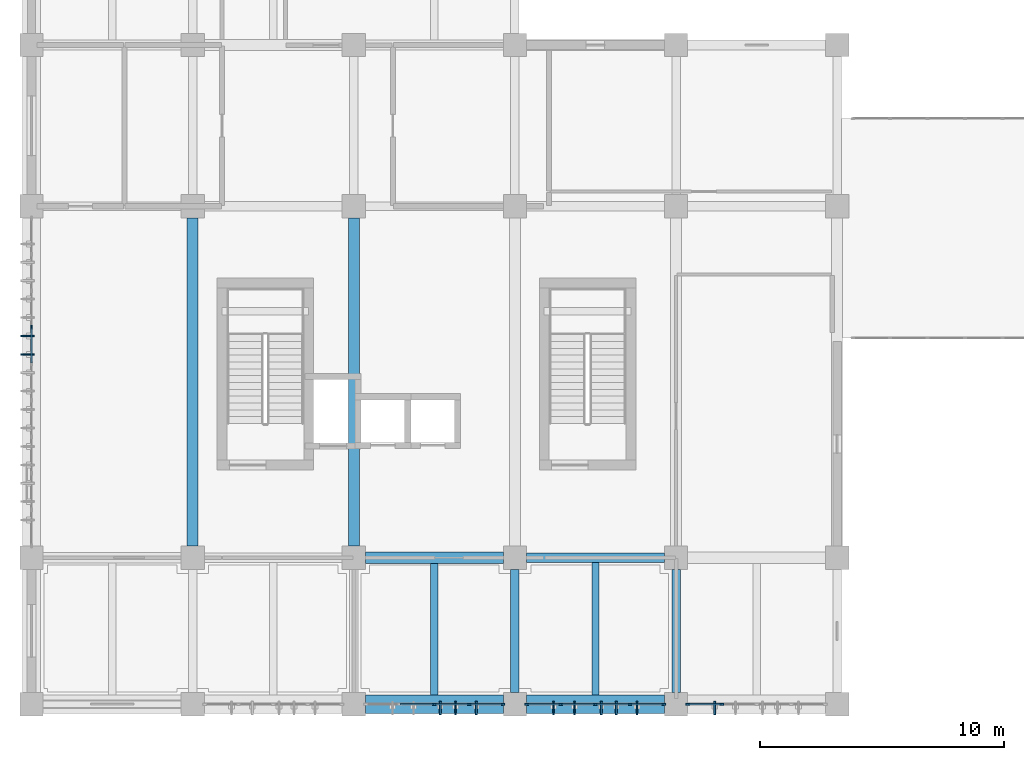
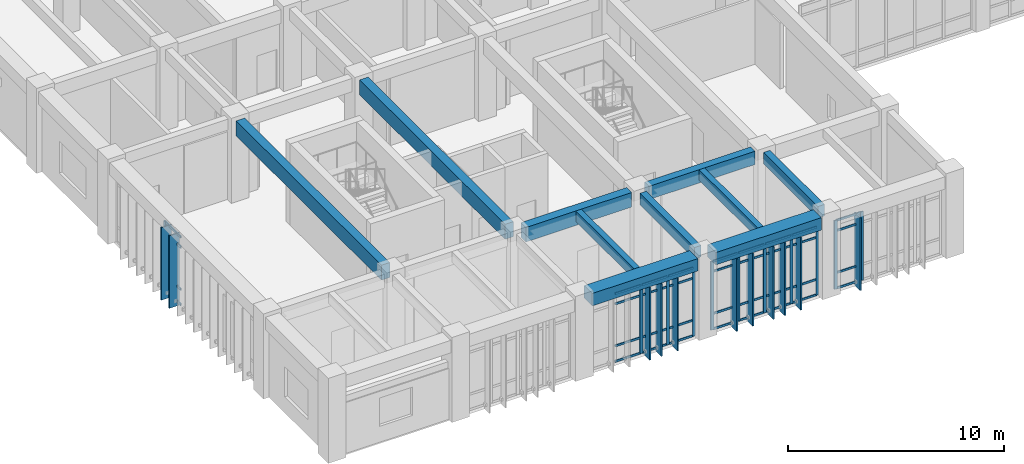
# One storey, part 3 of 68: 58 members, 10 beams, 4 elements without a shape of their own.
"""IFC4 building model written with IfcOpenShell, lengths in metres."""

from ifc_helpers import new_model, si_unit, direction, frame, origin, origin_2d, place, context, subcontext, project, spatial, rectangle, extrude, material, layer, layer_set, material_profile, profile_set, type_object, element, aggregate, save


model = new_model("IFC4")

# Units and contexts
model_context = context("Model", 3, precision=1e-05, world=origin(), true_north=direction((0.0, 1.0)))
body_context = subcontext(model_context, "Body", "Model", "MODEL_VIEW")
ifc_project = project(units=[si_unit("LENGTHUNIT", "METRE"), si_unit("AREAUNIT", "SQUARE_METRE"), si_unit("VOLUMEUNIT", "CUBIC_METRE"), si_unit("PLANEANGLEUNIT", "RADIAN"), si_unit("MASSUNIT", "GRAM", prefix="KILO")], contexts=[model_context])

# Site, building, storey
site_placement = place(None, origin())
site = spatial("IfcSite", under=ifc_project, at=site_placement, CompositionType="ELEMENT")
building_placement = place(site_placement, origin())
building = spatial("IfcBuilding", under=site, at=building_placement, Name="Miralva Faculty of Natural Sciences", CompositionType="ELEMENT")
storey_placement = place(building_placement, frame((0.0, 0.0, 5.39990234375)))
storey = spatial("IfcBuildingStorey", under=building, at=storey_placement, Name="L01", CompositionType="ELEMENT", Elevation=5.39990234375)

# Beams
ifc_material_1 = material(Name="Concrete C40/50", Category="concrete")
ifc_material_profile_1 = material_profile(ifc_material_1, rectangle(XDim=0.449951171875, YDim=0.85009765625, at=origin_2d()), Name="RC 450x850")
ifc_profile_set_1 = profile_set([ifc_material_profile_1], Name="Concrete C40/50")
beam_type_1 = type_object("IfcBeamType", Name="BM-B01", PredefinedType="BEAM", material=ifc_profile_set_1)
for number, where, z_axis, x_axis, name in (
    (1, (9.60009765625, 9.47509765625, 4.155029296875), (0.0, 1.0, 0.0), (-1.0, 0.0, 0.0), "Girder NS L01-110"),
    (2, (16.199951171875, 9.47509765625, 4.155029296875), (0.0, 1.0, 0.0), (-1.0, 0.0, 0.0), "Girder NS L01-123"),
):
    element("IfcBeam", number, at=place(storey_placement, frame(where, z_axis=z_axis, x_axis=x_axis)), inside=storey, type_object=beam_type_1, Name=name, PredefinedType="BEAM", context=body_context, shape_type="SweptSolid", body=[
        extrude(rectangle(XDim=0.449951171875, YDim=0.85009765625, at=origin_2d()), origin(), (0.0, 0.0, 1.0), 13.449951171875),
    ])
ifc_material_profile_2 = material_profile(ifc_material_1, rectangle(XDim=0.39990234375, YDim=0.75, at=origin_2d()), Name="RC 400x750")
ifc_profile_set_2 = profile_set([ifc_material_profile_2], Name="Concrete C40/50")
beam_type_2 = type_object("IfcBeamType", Name="BM-B03", PredefinedType="BEAM", material=ifc_profile_set_2)
beam_1_placement = place(storey_placement, frame((23.27490234375, 9.0, 4.205078125), z_axis=(1.0, 0.0, 0.0), x_axis=(0.0, 1.0, 0.0)))
element("IfcBeam", 3, at=beam_1_placement, inside=storey, type_object=beam_type_2, Name="Girder EW L01-14", PredefinedType="BEAM", context=body_context, shape_type="SweptSolid", body=[
    extrude(rectangle(XDim=0.39990234375, YDim=0.75, at=origin_2d()), origin(), (0.0, 0.0, 1.0), 5.650146484375),
])
ifc_material_profile_3 = material_profile(ifc_material_1, rectangle(XDim=0.35009765625, YDim=0.64990234375, at=origin_2d()), Name="RC 350x650")
ifc_profile_set_3 = profile_set([ifc_material_profile_3], Name="Concrete C40/50")
beam_type_3 = type_object("IfcBeamType", Name="BM-B05", PredefinedType="BEAM", material=ifc_profile_set_3)
for number, where, z_axis, x_axis, name in (
    (4, (22.800048828125, 3.47509765625, 4.255126953125), (0.0, 1.0, 0.0), (-1.0, 0.0, 0.0), "Girder NS L01-125"),
    (5, (29.39990234375, 3.47509765625, 4.255126953125), (0.0, 1.0, 0.0), (-1.0, 0.0, 0.0), "Girder NS L01-138"),
):
    element("IfcBeam", number, at=place(storey_placement, frame(where, z_axis=z_axis, x_axis=x_axis)), inside=storey, type_object=beam_type_3, Name=name, PredefinedType="BEAM", context=body_context, shape_type="SweptSolid", body=[
        extrude(rectangle(XDim=0.35009765625, YDim=0.64990234375, at=origin_2d()), origin(), (0.0, 0.0, 1.0), 5.0498046875),
    ])
ifc_material_profile_4 = material_profile(ifc_material_1, rectangle(XDim=0.4599609375, YDim=0.820068359375, at=origin_2d()), Name="RC 460x820")
ifc_profile_set_4 = profile_set([ifc_material_profile_4], Name="Concrete C40/50")
beam_type_4 = type_object("IfcBeamType", Name="BM-BG15", PredefinedType="BEAM", material=ifc_profile_set_4)
beam_2_placement = place(storey_placement, frame((16.675048828125, 9.0, 4.170166015625), z_axis=(1.0, 0.0, 0.0), x_axis=(0.0, 1.0, 0.0)))
element("IfcBeam", 6, at=beam_2_placement, inside=storey, type_object=beam_type_4, Name="Girder EW L01-13", PredefinedType="BEAM", context=body_context, shape_type="SweptSolid", body=[
    extrude(rectangle(XDim=0.4599609375, YDim=0.820068359375, at=origin_2d()), origin(), (0.0, 0.0, 1.0), 5.64990234375),
])
ifc_material_profile_5 = material_profile(ifc_material_1, rectangle(XDim=0.300048828125, YDim=0.60009765625, at=origin_2d()), Name="RC 300x600")
ifc_profile_set_5 = profile_set([ifc_material_profile_5], Name="Concrete C40/50")
beam_type_5 = type_object("IfcBeamType", Name="BM-J01", PredefinedType="JOIST", material=ifc_profile_set_5)
beam_3_placement = place(storey_placement, frame((19.5, 3.375, 4.280029296875), z_axis=(0.0, 1.0, 0.0), x_axis=(-1.0, 0.0, 0.0)))
element("IfcBeam", 7, at=beam_3_placement, inside=storey, type_object=beam_type_5, Name="Floor joist L01-3", PredefinedType="JOIST", context=body_context, shape_type="SweptSolid", body=[
    extrude(rectangle(XDim=0.300048828125, YDim=0.60009765625, at=origin_2d()), origin(), (0.0, 0.0, 1.0), 5.39501953125),
])
beam_4_placement = place(storey_placement, frame((26.10009765625, 3.375, 4.280029296875), z_axis=(0.0, 1.0, 0.0), x_axis=(-1.0, 0.0, 0.0)))
element("IfcBeam", 8, at=beam_4_placement, inside=storey, type_object=beam_type_5, Name="Floor joist L01-4", PredefinedType="JOIST", context=body_context, shape_type="SweptSolid", body=[
    extrude(rectangle(XDim=0.300048828125, YDim=0.60009765625, at=origin_2d()), origin(), (0.0, 0.0, 1.0), 5.425048828125),
])
ifc_material_profile_6 = material_profile(ifc_material_1, rectangle(XDim=0.75, YDim=0.699951171875, at=origin_2d()), Name="RC 750x700")
ifc_profile_set_6 = profile_set([ifc_material_profile_6], Name="Concrete C40/50")
beam_type_6 = type_object("IfcBeamType", Name="BM-SP01", PredefinedType="SPANDREL", material=ifc_profile_set_6)
beam_5_placement = place(storey_placement, frame((16.675048828125, 3.0, 4.22998046875), z_axis=(1.0, 0.0, 0.0), x_axis=(0.0, 1.0, 0.0)))
element("IfcBeam", 9, at=beam_5_placement, inside=storey, type_object=beam_type_6, Name="Girder EW L01-3", PredefinedType="SPANDREL", context=body_context, shape_type="SweptSolid", body=[
    extrude(rectangle(XDim=0.75, YDim=0.699951171875, at=origin_2d()), origin(), (0.0, 0.0, 1.0), 5.64990234375),
])
beam_6_placement = place(storey_placement, frame((23.27490234375, 3.0, 4.22998046875), z_axis=(1.0, 0.0, 0.0), x_axis=(0.0, 1.0, 0.0)))
element("IfcBeam", 10, at=beam_6_placement, inside=storey, type_object=beam_type_6, Name="Girder EW L01-4", PredefinedType="SPANDREL", context=body_context, shape_type="SweptSolid", body=[
    extrude(rectangle(XDim=0.75, YDim=0.699951171875, at=origin_2d()), origin(), (0.0, 0.0, 1.0), 5.650146484375),
])

# Curtain wall, members
ifc_material_2 = material(Name="Laminated solar-control glass", Category="glass")
ifc_layer = layer(ifc_material_2, 0.179931640625, Name="CW-TWR-L01")
ifc_layer_set = layer_set([ifc_layer], Name="Laminated solar-control glass")
curtain_wall_type = type_object("IfcCurtainWallType", Name="CW-TWR-L01", PredefinedType="USERDEFINED", material=ifc_layer_set)
curtain_wall_1_placement = place(storey_placement, origin())
curtain_wall_1 = element("IfcCurtainWall", 11, at=curtain_wall_1_placement, inside=storey, type_object=curtain_wall_type, Name="Curtain wall CW-13 L01-215", ObjectType="UNITISED CURTAIN WALL", PredefinedType="USERDEFINED")
ifc_material_3 = material(Name="Anodised aluminium", Category="aluminium")
ifc_material_profile_7 = material_profile(ifc_material_3, rectangle(XDim=0.06494140625, YDim=0.159912109375, at=origin_2d()), Name="MULLION 65x160")
ifc_profile_set_7 = profile_set([ifc_material_profile_7], Name="Anodised aluminium")
member_type_1 = type_object("IfcMemberType", Name="CW-M02", PredefinedType="MULLION", material=ifc_profile_set_7)
member_1_placement = place(storey_placement, frame((19.5, 3.0, 0.0), z_axis=(0.0, 0.0, 1.0), x_axis=(0.0, 1.0, 0.0)))
member_1 = element("IfcMember", 12, at=member_1_placement, type_object=member_type_1, Name="CW-13 mullion 3", PredefinedType="MULLION", context=body_context, shape_type="SweptSolid", body=[
    extrude(rectangle(XDim=0.06494140625, YDim=0.159912109375, at=origin_2d()), origin(), (0.0, 0.0, 1.0), 3.875),
])
member_2_placement = place(storey_placement, frame((20.922607421875, 3.0, 0.0), z_axis=(0.0, 0.0, 1.0), x_axis=(0.0, 1.0, 0.0)))
member_2 = element("IfcMember", 13, at=member_2_placement, type_object=member_type_1, Name="CW-13 mullion 4", PredefinedType="MULLION", context=body_context, shape_type="SweptSolid", body=[
    extrude(rectangle(XDim=0.06494140625, YDim=0.159912109375, at=origin_2d()), origin(), (0.0, 0.0, 1.0), 3.875),
])
member_3_placement = place(storey_placement, frame((22.3125, 3.0, 0.0), z_axis=(0.0, 0.0, 1.0), x_axis=(0.0, 1.0, 0.0)))
member_3 = element("IfcMember", 14, at=member_3_placement, type_object=member_type_1, Name="CW-13 mullion 5", PredefinedType="MULLION", context=body_context, shape_type="SweptSolid", body=[
    extrude(rectangle(XDim=0.06494140625, YDim=0.159912109375, at=origin_2d()), origin(), (0.0, 0.0, 1.0), 3.875),
])

curtain_wall_2_placement = place(storey_placement, origin())
curtain_wall_2 = element("IfcCurtainWall", 15, at=curtain_wall_2_placement, inside=storey, type_object=curtain_wall_type, Name="Curtain wall CW-13 L01-216", ObjectType="UNITISED CURTAIN WALL", PredefinedType="USERDEFINED")
member_4_placement = place(storey_placement, frame((23.28759765625, 3.0, 0.0), z_axis=(0.0, 0.0, 1.0), x_axis=(0.0, 1.0, 0.0)))
member_4 = element("IfcMember", 16, at=member_4_placement, type_object=member_type_1, Name="CW-13 mullion 1", PredefinedType="MULLION", context=body_context, shape_type="SweptSolid", body=[
    extrude(rectangle(XDim=0.06494140625, YDim=0.159912109375, at=origin_2d()), origin(), (0.0, 0.0, 1.0), 3.875),
])
member_5_placement = place(storey_placement, frame((24.675048828125, 3.0, 0.0), z_axis=(0.0, 0.0, 1.0), x_axis=(0.0, 1.0, 0.0)))
member_5 = element("IfcMember", 17, at=member_5_placement, type_object=member_type_1, Name="CW-13 mullion 2", PredefinedType="MULLION", context=body_context, shape_type="SweptSolid", body=[
    extrude(rectangle(XDim=0.06494140625, YDim=0.159912109375, at=origin_2d()), origin(), (0.0, 0.0, 1.0), 3.875),
])
member_6_placement = place(storey_placement, frame((26.094970703125, 3.0, 0.0), z_axis=(0.0, 0.0, 1.0), x_axis=(0.0, 1.0, 0.0)))
member_6 = element("IfcMember", 18, at=member_6_placement, type_object=member_type_1, Name="CW-13 mullion 3", PredefinedType="MULLION", context=body_context, shape_type="SweptSolid", body=[
    extrude(rectangle(XDim=0.06494140625, YDim=0.159912109375, at=origin_2d()), origin(), (0.0, 0.0, 1.0), 3.875),
])
member_7_placement = place(storey_placement, frame((27.514892578125, 3.0, 0.0), z_axis=(0.0, 0.0, 1.0), x_axis=(0.0, 1.0, 0.0)))
member_7 = element("IfcMember", 19, at=member_7_placement, type_object=member_type_1, Name="CW-13 mullion 4", PredefinedType="MULLION", context=body_context, shape_type="SweptSolid", body=[
    extrude(rectangle(XDim=0.06494140625, YDim=0.159912109375, at=origin_2d()), origin(), (0.0, 0.0, 1.0), 3.875),
])
member_8_placement = place(storey_placement, frame((28.902587890625, 3.0, 0.0), z_axis=(0.0, 0.0, 1.0), x_axis=(0.0, 1.0, 0.0)))
member_8 = element("IfcMember", 20, at=member_8_placement, type_object=member_type_1, Name="CW-13 mullion 5", PredefinedType="MULLION", context=body_context, shape_type="SweptSolid", body=[
    extrude(rectangle(XDim=0.06494140625, YDim=0.159912109375, at=origin_2d()), origin(), (0.0, 0.0, 1.0), 3.875),
])

curtain_wall_3_placement = place(storey_placement, origin())
curtain_wall_3 = element("IfcCurtainWall", 21, at=curtain_wall_3_placement, inside=storey, type_object=curtain_wall_type, Name="Curtain wall CW-13 L01-217", ObjectType="UNITISED CURTAIN WALL", PredefinedType="USERDEFINED")
member_9_placement = place(storey_placement, frame((29.887451171875, 3.0, 0.0), z_axis=(0.0, 0.0, 1.0), x_axis=(0.0, 1.0, 0.0)))
member_9 = element("IfcMember", 22, at=member_9_placement, type_object=member_type_1, Name="CW-13 mullion 1", PredefinedType="MULLION", context=body_context, shape_type="SweptSolid", body=[
    extrude(rectangle(XDim=0.06494140625, YDim=0.159912109375, at=origin_2d()), origin(), (0.0, 0.0, 1.0), 3.875),
])
member_10_placement = place(storey_placement, frame((31.277587890625, 3.0, 0.0), z_axis=(0.0, 0.0, 1.0), x_axis=(0.0, 1.0, 0.0)))
member_10 = element("IfcMember", 23, at=member_10_placement, type_object=member_type_1, Name="CW-13 mullion 2", PredefinedType="MULLION", context=body_context, shape_type="SweptSolid", body=[
    extrude(rectangle(XDim=0.06494140625, YDim=0.159912109375, at=origin_2d()), origin(), (0.0, 0.0, 1.0), 3.875),
])

# Curtain wall, member
curtain_wall_4_placement = place(storey_placement, origin())
curtain_wall_4 = element("IfcCurtainWall", 24, at=curtain_wall_4_placement, inside=storey, type_object=curtain_wall_type, Name="Curtain wall CW-13 L01-218", ObjectType="UNITISED CURTAIN WALL", PredefinedType="USERDEFINED")
member_11_placement = place(storey_placement, frame((3.0, 18.445068359375, 0.0), z_axis=(0.0, 0.0, 1.0), x_axis=(-1.0, 0.0, 0.0)))
member_11 = element("IfcMember", 25, at=member_11_placement, type_object=member_type_1, Name="CW-13 mullion 7", PredefinedType="MULLION", context=body_context, shape_type="SweptSolid", body=[
    extrude(rectangle(XDim=0.06494140625, YDim=0.159912109375, at=origin_2d()), origin(), (0.0, 0.0, 1.0), 3.875),
])

# Member
ifc_material_profile_8 = material_profile(ifc_material_3, rectangle(XDim=0.06005859375, YDim=0.1201171875, at=origin_2d()), Name="TRANSOM 60x120")
ifc_profile_set_8 = profile_set([ifc_material_profile_8], Name="Anodised aluminium")
member_type_2 = type_object("IfcMemberType", Name="CW-T02", PredefinedType="USERDEFINED", material=ifc_profile_set_8)
member_12_placement = place(storey_placement, frame((18.110107421875, 3.0, 0.030029296875), z_axis=(1.0, 0.0, 0.0), x_axis=(0.0, 1.0, 0.0)))
member_12 = element("IfcMember", 26, at=member_12_placement, type_object=member_type_2, Name="CW-13 transom 2.1", ObjectType="TRANSOM", PredefinedType="USERDEFINED", context=body_context, shape_type="SweptSolid", body=[
    extrude(rectangle(XDim=0.06005859375, YDim=0.1201171875, at=origin_2d()), origin(), (0.0, 0.0, 1.0), 1.357421875),
])

member_13_placement = place(storey_placement, frame((18.110107421875, 3.0, 0.900146484375), z_axis=(1.0, 0.0, 0.0), x_axis=(0.0, 1.0, 0.0)))
member_13 = element("IfcMember", 27, at=member_13_placement, type_object=member_type_2, Name="CW-13 transom 2.2", ObjectType="TRANSOM", PredefinedType="USERDEFINED", context=body_context, shape_type="SweptSolid", body=[
    extrude(rectangle(XDim=0.06005859375, YDim=0.1201171875, at=origin_2d()), origin(), (0.0, 0.0, 1.0), 1.357421875),
])

member_14_placement = place(storey_placement, frame((18.110107421875, 3.0, 3.275146484375), z_axis=(1.0, 0.0, 0.0), x_axis=(0.0, 1.0, 0.0)))
member_14 = element("IfcMember", 28, at=member_14_placement, type_object=member_type_2, Name="CW-13 transom 2.3", ObjectType="TRANSOM", PredefinedType="USERDEFINED", context=body_context, shape_type="SweptSolid", body=[
    extrude(rectangle(XDim=0.06005859375, YDim=0.1201171875, at=origin_2d()), origin(), (0.0, 0.0, 1.0), 1.357421875),
])

member_15_placement = place(storey_placement, frame((18.110107421875, 3.0, 3.84521484375), z_axis=(1.0, 0.0, 0.0), x_axis=(0.0, 1.0, 0.0)))
member_15 = element("IfcMember", 29, at=member_15_placement, type_object=member_type_2, Name="CW-13 transom 2.4", ObjectType="TRANSOM", PredefinedType="USERDEFINED", context=body_context, shape_type="SweptSolid", body=[
    extrude(rectangle(XDim=0.06005859375, YDim=0.1201171875, at=origin_2d()), origin(), (0.0, 0.0, 1.0), 1.357421875),
])

member_16_placement = place(storey_placement, frame((19.532470703125, 3.0, 0.030029296875), z_axis=(1.0, 0.0, 0.0), x_axis=(0.0, 1.0, 0.0)))
member_16 = element("IfcMember", 30, at=member_16_placement, type_object=member_type_2, Name="CW-13 transom 3.1", ObjectType="TRANSOM", PredefinedType="USERDEFINED", context=body_context, shape_type="SweptSolid", body=[
    extrude(rectangle(XDim=0.06005859375, YDim=0.1201171875, at=origin_2d()), origin(), (0.0, 0.0, 1.0), 1.357421875),
])

member_17_placement = place(storey_placement, frame((19.532470703125, 3.0, 0.900146484375), z_axis=(1.0, 0.0, 0.0), x_axis=(0.0, 1.0, 0.0)))
member_17 = element("IfcMember", 31, at=member_17_placement, type_object=member_type_2, Name="CW-13 transom 3.2", ObjectType="TRANSOM", PredefinedType="USERDEFINED", context=body_context, shape_type="SweptSolid", body=[
    extrude(rectangle(XDim=0.06005859375, YDim=0.1201171875, at=origin_2d()), origin(), (0.0, 0.0, 1.0), 1.357421875),
])

member_18_placement = place(storey_placement, frame((19.532470703125, 3.0, 3.275146484375), z_axis=(1.0, 0.0, 0.0), x_axis=(0.0, 1.0, 0.0)))
member_18 = element("IfcMember", 32, at=member_18_placement, type_object=member_type_2, Name="CW-13 transom 3.3", ObjectType="TRANSOM", PredefinedType="USERDEFINED", context=body_context, shape_type="SweptSolid", body=[
    extrude(rectangle(XDim=0.06005859375, YDim=0.1201171875, at=origin_2d()), origin(), (0.0, 0.0, 1.0), 1.357421875),
])

member_19_placement = place(storey_placement, frame((19.532470703125, 3.0, 3.84521484375), z_axis=(1.0, 0.0, 0.0), x_axis=(0.0, 1.0, 0.0)))
member_19 = element("IfcMember", 33, at=member_19_placement, type_object=member_type_2, Name="CW-13 transom 3.4", ObjectType="TRANSOM", PredefinedType="USERDEFINED", context=body_context, shape_type="SweptSolid", body=[
    extrude(rectangle(XDim=0.06005859375, YDim=0.1201171875, at=origin_2d()), origin(), (0.0, 0.0, 1.0), 1.357421875),
])

member_20_placement = place(storey_placement, frame((20.955078125, 3.0, 0.030029296875), z_axis=(1.0, 0.0, 0.0), x_axis=(0.0, 1.0, 0.0)))
member_20 = element("IfcMember", 34, at=member_20_placement, type_object=member_type_2, Name="CW-13 transom 4.1", ObjectType="TRANSOM", PredefinedType="USERDEFINED", context=body_context, shape_type="SweptSolid", body=[
    extrude(rectangle(XDim=0.06005859375, YDim=0.1201171875, at=origin_2d()), origin(), (0.0, 0.0, 1.0), 1.324951171875),
])

member_21_placement = place(storey_placement, frame((20.955078125, 3.0, 0.900146484375), z_axis=(1.0, 0.0, 0.0), x_axis=(0.0, 1.0, 0.0)))
member_21 = element("IfcMember", 35, at=member_21_placement, type_object=member_type_2, Name="CW-13 transom 4.2", ObjectType="TRANSOM", PredefinedType="USERDEFINED", context=body_context, shape_type="SweptSolid", body=[
    extrude(rectangle(XDim=0.06005859375, YDim=0.1201171875, at=origin_2d()), origin(), (0.0, 0.0, 1.0), 1.324951171875),
])

member_22_placement = place(storey_placement, frame((20.955078125, 3.0, 3.275146484375), z_axis=(1.0, 0.0, 0.0), x_axis=(0.0, 1.0, 0.0)))
member_22 = element("IfcMember", 36, at=member_22_placement, type_object=member_type_2, Name="CW-13 transom 4.3", ObjectType="TRANSOM", PredefinedType="USERDEFINED", context=body_context, shape_type="SweptSolid", body=[
    extrude(rectangle(XDim=0.06005859375, YDim=0.1201171875, at=origin_2d()), origin(), (0.0, 0.0, 1.0), 1.324951171875),
])

member_23_placement = place(storey_placement, frame((20.955078125, 3.0, 3.84521484375), z_axis=(1.0, 0.0, 0.0), x_axis=(0.0, 1.0, 0.0)))
member_23 = element("IfcMember", 37, at=member_23_placement, type_object=member_type_2, Name="CW-13 transom 4.4", ObjectType="TRANSOM", PredefinedType="USERDEFINED", context=body_context, shape_type="SweptSolid", body=[
    extrude(rectangle(XDim=0.06005859375, YDim=0.1201171875, at=origin_2d()), origin(), (0.0, 0.0, 1.0), 1.324951171875),
])

aggregate(curtain_wall_1, [member_1, member_2, member_3, member_12, member_13, member_14, member_15, member_16, member_17, member_18, member_19, member_20, member_21, member_22, member_23])

member_24_placement = place(storey_placement, frame((23.320068359375, 3.0, 0.030029296875), z_axis=(1.0, 0.0, 0.0), x_axis=(0.0, 1.0, 0.0)))
member_24 = element("IfcMember", 38, at=member_24_placement, type_object=member_type_2, Name="CW-13 transom 1.1", ObjectType="TRANSOM", PredefinedType="USERDEFINED", context=body_context, shape_type="SweptSolid", body=[
    extrude(rectangle(XDim=0.06005859375, YDim=0.1201171875, at=origin_2d()), origin(), (0.0, 0.0, 1.0), 1.322509765625),
])

member_25_placement = place(storey_placement, frame((23.320068359375, 3.0, 0.900146484375), z_axis=(1.0, 0.0, 0.0), x_axis=(0.0, 1.0, 0.0)))
member_25 = element("IfcMember", 39, at=member_25_placement, type_object=member_type_2, Name="CW-13 transom 1.2", ObjectType="TRANSOM", PredefinedType="USERDEFINED", context=body_context, shape_type="SweptSolid", body=[
    extrude(rectangle(XDim=0.06005859375, YDim=0.1201171875, at=origin_2d()), origin(), (0.0, 0.0, 1.0), 1.322509765625),
])

member_26_placement = place(storey_placement, frame((23.320068359375, 3.0, 3.275146484375), z_axis=(1.0, 0.0, 0.0), x_axis=(0.0, 1.0, 0.0)))
member_26 = element("IfcMember", 40, at=member_26_placement, type_object=member_type_2, Name="CW-13 transom 1.3", ObjectType="TRANSOM", PredefinedType="USERDEFINED", context=body_context, shape_type="SweptSolid", body=[
    extrude(rectangle(XDim=0.06005859375, YDim=0.1201171875, at=origin_2d()), origin(), (0.0, 0.0, 1.0), 1.322509765625),
])

member_27_placement = place(storey_placement, frame((23.320068359375, 3.0, 3.84521484375), z_axis=(1.0, 0.0, 0.0), x_axis=(0.0, 1.0, 0.0)))
member_27 = element("IfcMember", 41, at=member_27_placement, type_object=member_type_2, Name="CW-13 transom 1.4", ObjectType="TRANSOM", PredefinedType="USERDEFINED", context=body_context, shape_type="SweptSolid", body=[
    extrude(rectangle(XDim=0.06005859375, YDim=0.1201171875, at=origin_2d()), origin(), (0.0, 0.0, 1.0), 1.322509765625),
])

member_28_placement = place(storey_placement, frame((24.70751953125, 3.0, 0.030029296875), z_axis=(1.0, 0.0, 0.0), x_axis=(0.0, 1.0, 0.0)))
member_28 = element("IfcMember", 42, at=member_28_placement, type_object=member_type_2, Name="CW-13 transom 2.1", ObjectType="TRANSOM", PredefinedType="USERDEFINED", context=body_context, shape_type="SweptSolid", body=[
    extrude(rectangle(XDim=0.06005859375, YDim=0.1201171875, at=origin_2d()), origin(), (0.0, 0.0, 1.0), 1.35498046875),
])

member_29_placement = place(storey_placement, frame((24.70751953125, 3.0, 0.900146484375), z_axis=(1.0, 0.0, 0.0), x_axis=(0.0, 1.0, 0.0)))
member_29 = element("IfcMember", 43, at=member_29_placement, type_object=member_type_2, Name="CW-13 transom 2.2", ObjectType="TRANSOM", PredefinedType="USERDEFINED", context=body_context, shape_type="SweptSolid", body=[
    extrude(rectangle(XDim=0.06005859375, YDim=0.1201171875, at=origin_2d()), origin(), (0.0, 0.0, 1.0), 1.35498046875),
])

member_30_placement = place(storey_placement, frame((24.70751953125, 3.0, 3.275146484375), z_axis=(1.0, 0.0, 0.0), x_axis=(0.0, 1.0, 0.0)))
member_30 = element("IfcMember", 44, at=member_30_placement, type_object=member_type_2, Name="CW-13 transom 2.3", ObjectType="TRANSOM", PredefinedType="USERDEFINED", context=body_context, shape_type="SweptSolid", body=[
    extrude(rectangle(XDim=0.06005859375, YDim=0.1201171875, at=origin_2d()), origin(), (0.0, 0.0, 1.0), 1.35498046875),
])

member_31_placement = place(storey_placement, frame((24.70751953125, 3.0, 3.84521484375), z_axis=(1.0, 0.0, 0.0), x_axis=(0.0, 1.0, 0.0)))
member_31 = element("IfcMember", 45, at=member_31_placement, type_object=member_type_2, Name="CW-13 transom 2.4", ObjectType="TRANSOM", PredefinedType="USERDEFINED", context=body_context, shape_type="SweptSolid", body=[
    extrude(rectangle(XDim=0.06005859375, YDim=0.1201171875, at=origin_2d()), origin(), (0.0, 0.0, 1.0), 1.35498046875),
])

member_32_placement = place(storey_placement, frame((26.12744140625, 3.0, 0.030029296875), z_axis=(1.0, 0.0, 0.0), x_axis=(0.0, 1.0, 0.0)))
member_32 = element("IfcMember", 46, at=member_32_placement, type_object=member_type_2, Name="CW-13 transom 3.1", ObjectType="TRANSOM", PredefinedType="USERDEFINED", context=body_context, shape_type="SweptSolid", body=[
    extrude(rectangle(XDim=0.06005859375, YDim=0.1201171875, at=origin_2d()), origin(), (0.0, 0.0, 1.0), 1.35498046875),
])

member_33_placement = place(storey_placement, frame((26.12744140625, 3.0, 0.900146484375), z_axis=(1.0, 0.0, 0.0), x_axis=(0.0, 1.0, 0.0)))
member_33 = element("IfcMember", 47, at=member_33_placement, type_object=member_type_2, Name="CW-13 transom 3.2", ObjectType="TRANSOM", PredefinedType="USERDEFINED", context=body_context, shape_type="SweptSolid", body=[
    extrude(rectangle(XDim=0.06005859375, YDim=0.1201171875, at=origin_2d()), origin(), (0.0, 0.0, 1.0), 1.35498046875),
])

member_34_placement = place(storey_placement, frame((26.12744140625, 3.0, 3.275146484375), z_axis=(1.0, 0.0, 0.0), x_axis=(0.0, 1.0, 0.0)))
member_34 = element("IfcMember", 48, at=member_34_placement, type_object=member_type_2, Name="CW-13 transom 3.3", ObjectType="TRANSOM", PredefinedType="USERDEFINED", context=body_context, shape_type="SweptSolid", body=[
    extrude(rectangle(XDim=0.06005859375, YDim=0.1201171875, at=origin_2d()), origin(), (0.0, 0.0, 1.0), 1.35498046875),
])

member_35_placement = place(storey_placement, frame((26.12744140625, 3.0, 3.84521484375), z_axis=(1.0, 0.0, 0.0), x_axis=(0.0, 1.0, 0.0)))
member_35 = element("IfcMember", 49, at=member_35_placement, type_object=member_type_2, Name="CW-13 transom 3.4", ObjectType="TRANSOM", PredefinedType="USERDEFINED", context=body_context, shape_type="SweptSolid", body=[
    extrude(rectangle(XDim=0.06005859375, YDim=0.1201171875, at=origin_2d()), origin(), (0.0, 0.0, 1.0), 1.35498046875),
])

member_36_placement = place(storey_placement, frame((27.547607421875, 3.0, 0.030029296875), z_axis=(1.0, 0.0, 0.0), x_axis=(0.0, 1.0, 0.0)))
member_36 = element("IfcMember", 50, at=member_36_placement, type_object=member_type_2, Name="CW-13 transom 4.1", ObjectType="TRANSOM", PredefinedType="USERDEFINED", context=body_context, shape_type="SweptSolid", body=[
    extrude(rectangle(XDim=0.06005859375, YDim=0.1201171875, at=origin_2d()), origin(), (0.0, 0.0, 1.0), 1.322509765625),
])

member_37_placement = place(storey_placement, frame((27.547607421875, 3.0, 0.900146484375), z_axis=(1.0, 0.0, 0.0), x_axis=(0.0, 1.0, 0.0)))
member_37 = element("IfcMember", 51, at=member_37_placement, type_object=member_type_2, Name="CW-13 transom 4.2", ObjectType="TRANSOM", PredefinedType="USERDEFINED", context=body_context, shape_type="SweptSolid", body=[
    extrude(rectangle(XDim=0.06005859375, YDim=0.1201171875, at=origin_2d()), origin(), (0.0, 0.0, 1.0), 1.322509765625),
])

member_38_placement = place(storey_placement, frame((27.547607421875, 3.0, 3.275146484375), z_axis=(1.0, 0.0, 0.0), x_axis=(0.0, 1.0, 0.0)))
member_38 = element("IfcMember", 52, at=member_38_placement, type_object=member_type_2, Name="CW-13 transom 4.3", ObjectType="TRANSOM", PredefinedType="USERDEFINED", context=body_context, shape_type="SweptSolid", body=[
    extrude(rectangle(XDim=0.06005859375, YDim=0.1201171875, at=origin_2d()), origin(), (0.0, 0.0, 1.0), 1.322509765625),
])

member_39_placement = place(storey_placement, frame((27.547607421875, 3.0, 3.84521484375), z_axis=(1.0, 0.0, 0.0), x_axis=(0.0, 1.0, 0.0)))
member_39 = element("IfcMember", 53, at=member_39_placement, type_object=member_type_2, Name="CW-13 transom 4.4", ObjectType="TRANSOM", PredefinedType="USERDEFINED", context=body_context, shape_type="SweptSolid", body=[
    extrude(rectangle(XDim=0.06005859375, YDim=0.1201171875, at=origin_2d()), origin(), (0.0, 0.0, 1.0), 1.322509765625),
])

aggregate(curtain_wall_2, [member_4, member_5, member_6, member_7, member_8, member_24, member_25, member_26, member_27, member_28, member_29, member_30, member_31, member_32, member_33, member_34, member_35, member_36, member_37, member_38, member_39])

member_40_placement = place(storey_placement, frame((29.919921875, 3.0, 0.030029296875), z_axis=(1.0, 0.0, 0.0), x_axis=(0.0, 1.0, 0.0)))
member_40 = element("IfcMember", 54, at=member_40_placement, type_object=member_type_2, Name="CW-13 transom 1.1", ObjectType="TRANSOM", PredefinedType="USERDEFINED", context=body_context, shape_type="SweptSolid", body=[
    extrude(rectangle(XDim=0.06005859375, YDim=0.1201171875, at=origin_2d()), origin(), (0.0, 0.0, 1.0), 1.3251953125),
])

member_41_placement = place(storey_placement, frame((29.919921875, 3.0, 0.900146484375), z_axis=(1.0, 0.0, 0.0), x_axis=(0.0, 1.0, 0.0)))
member_41 = element("IfcMember", 55, at=member_41_placement, type_object=member_type_2, Name="CW-13 transom 1.2", ObjectType="TRANSOM", PredefinedType="USERDEFINED", context=body_context, shape_type="SweptSolid", body=[
    extrude(rectangle(XDim=0.06005859375, YDim=0.1201171875, at=origin_2d()), origin(), (0.0, 0.0, 1.0), 1.3251953125),
])

member_42_placement = place(storey_placement, frame((29.919921875, 3.0, 3.275146484375), z_axis=(1.0, 0.0, 0.0), x_axis=(0.0, 1.0, 0.0)))
member_42 = element("IfcMember", 56, at=member_42_placement, type_object=member_type_2, Name="CW-13 transom 1.3", ObjectType="TRANSOM", PredefinedType="USERDEFINED", context=body_context, shape_type="SweptSolid", body=[
    extrude(rectangle(XDim=0.06005859375, YDim=0.1201171875, at=origin_2d()), origin(), (0.0, 0.0, 1.0), 1.3251953125),
])

member_43_placement = place(storey_placement, frame((29.919921875, 3.0, 3.84521484375), z_axis=(1.0, 0.0, 0.0), x_axis=(0.0, 1.0, 0.0)))
member_43 = element("IfcMember", 57, at=member_43_placement, type_object=member_type_2, Name="CW-13 transom 1.4", ObjectType="TRANSOM", PredefinedType="USERDEFINED", context=body_context, shape_type="SweptSolid", body=[
    extrude(rectangle(XDim=0.06005859375, YDim=0.1201171875, at=origin_2d()), origin(), (0.0, 0.0, 1.0), 1.3251953125),
])

aggregate(curtain_wall_3, [member_9, member_10, member_40, member_41, member_42, member_43])

member_44_placement = place(storey_placement, frame((3.0, 16.980712890625, 0.030029296875), z_axis=(0.0, 1.0, 0.0), x_axis=(-1.0, 0.0, 0.0)))
member_44 = element("IfcMember", 58, at=member_44_placement, type_object=member_type_2, Name="CW-13 transom 6.1", ObjectType="TRANSOM", PredefinedType="USERDEFINED", context=body_context, shape_type="SweptSolid", body=[
    extrude(rectangle(XDim=0.06005859375, YDim=0.1201171875, at=origin_2d()), origin(), (0.0, 0.0, 1.0), 1.431884765625),
])

member_45_placement = place(storey_placement, frame((3.0, 16.980712890625, 0.900146484375), z_axis=(0.0, 1.0, 0.0), x_axis=(-1.0, 0.0, 0.0)))
member_45 = element("IfcMember", 59, at=member_45_placement, type_object=member_type_2, Name="CW-13 transom 6.2", ObjectType="TRANSOM", PredefinedType="USERDEFINED", context=body_context, shape_type="SweptSolid", body=[
    extrude(rectangle(XDim=0.06005859375, YDim=0.1201171875, at=origin_2d()), origin(), (0.0, 0.0, 1.0), 1.431884765625),
])

member_46_placement = place(storey_placement, frame((3.0, 16.980712890625, 3.275146484375), z_axis=(0.0, 1.0, 0.0), x_axis=(-1.0, 0.0, 0.0)))
member_46 = element("IfcMember", 60, at=member_46_placement, type_object=member_type_2, Name="CW-13 transom 6.3", ObjectType="TRANSOM", PredefinedType="USERDEFINED", context=body_context, shape_type="SweptSolid", body=[
    extrude(rectangle(XDim=0.06005859375, YDim=0.1201171875, at=origin_2d()), origin(), (0.0, 0.0, 1.0), 1.431884765625),
])

member_47_placement = place(storey_placement, frame((3.0, 16.980712890625, 3.84521484375), z_axis=(0.0, 1.0, 0.0), x_axis=(-1.0, 0.0, 0.0)))
member_47 = element("IfcMember", 61, at=member_47_placement, type_object=member_type_2, Name="CW-13 transom 6.4", ObjectType="TRANSOM", PredefinedType="USERDEFINED", context=body_context, shape_type="SweptSolid", body=[
    extrude(rectangle(XDim=0.06005859375, YDim=0.1201171875, at=origin_2d()), origin(), (0.0, 0.0, 1.0), 1.431884765625),
])

aggregate(curtain_wall_4, [member_11, member_44, member_45, member_46, member_47])

# Members
ifc_material_profile_9 = material_profile(ifc_material_3, rectangle(XDim=0.06494140625, YDim=0.550048828125, at=origin_2d()), Name="FIN 550x65")
ifc_profile_set_9 = profile_set([ifc_material_profile_9], Name="Anodised aluminium")
member_type_3 = type_object("IfcMemberType", Name="MEM-SF03", PredefinedType="USERDEFINED", material=ifc_profile_set_9)
for number, where, z_axis, x_axis, name in (
    (62, (19.739990234375, 2.840087890625, -0.219970703125), (0.0, 0.0, 1.0), (1.0, 0.0, 0.0), "Solar shading fin SF-03 L01-196"),
    (63, (20.35791015625, 2.840087890625, -0.219970703125), (0.0, 0.0, 1.0), (1.0, 0.0, 0.0), "Solar shading fin SF-03 L01-197"),
    (64, (21.216064453125, 2.840087890625, -0.219970703125), (0.0, 0.0, 1.0), (1.0, 0.0, 0.0), "Solar shading fin SF-03 L01-198"),
    (65, (24.383056640625, 2.840087890625, -0.219970703125), (0.0, 0.0, 1.0), (1.0, 0.0, 0.0), "Solar shading fin SF-03 L01-199"),
    (66, (25.239013671875, 2.840087890625, -0.219970703125), (0.0, 0.0, 1.0), (1.0, 0.0, 0.0), "Solar shading fin SF-03 L01-200"),
    (67, (26.3349609375, 2.840087890625, -0.219970703125), (0.0, 0.0, 1.0), (1.0, 0.0, 0.0), "Solar shading fin SF-03 L01-201"),
    (68, (26.950927734375, 2.840087890625, -0.219970703125), (0.0, 0.0, 1.0), (1.0, 0.0, 0.0), "Solar shading fin SF-03 L01-202"),
    (69, (27.806884765625, 2.840087890625, -0.219970703125), (0.0, 0.0, 1.0), (1.0, 0.0, 0.0), "Solar shading fin SF-03 L01-203"),
    (70, (30.98388671875, 2.840087890625, -0.219970703125), (0.0, 0.0, 1.0), (1.0, 0.0, 0.0), "Solar shading fin SF-03 L01-204"),
    (71, (2.840087890625, 17.33154296875, -0.219970703125), (0.0, 0.0, 1.0), (0.0, -1.0, 0.0), "Solar shading fin SF-03 L01-218"),
    (72, (2.840087890625, 18.0859375, -0.219970703125), (0.0, 0.0, 1.0), (0.0, -1.0, 0.0), "Solar shading fin SF-03 L01-219"),
):
    element("IfcMember", number, at=place(storey_placement, frame(where, z_axis=z_axis, x_axis=x_axis)), inside=storey, type_object=member_type_3, Name=name, ObjectType="SUNSHADE", PredefinedType="USERDEFINED", context=body_context, shape_type="SweptSolid", body=[
        extrude(rectangle(XDim=0.06494140625, YDim=0.550048828125, at=origin_2d()), origin(), (0.0, 0.0, 1.0), 4.094970703125),
    ])

save(model, "model.ifc")
